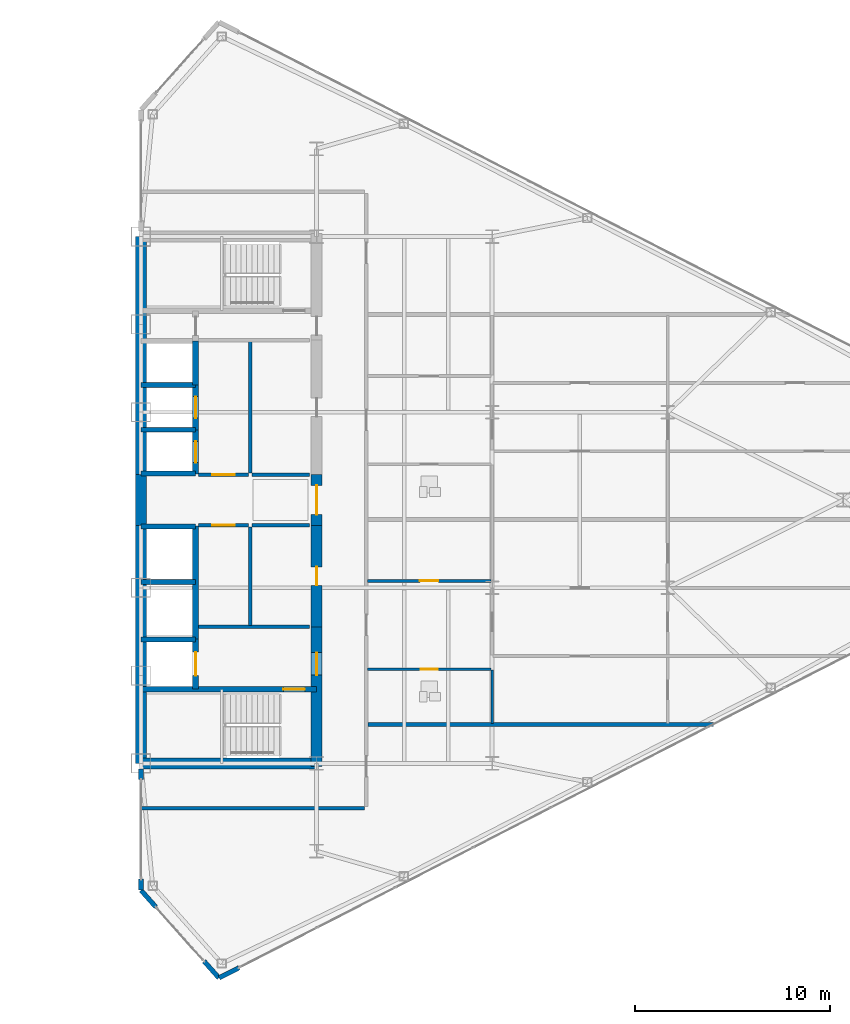
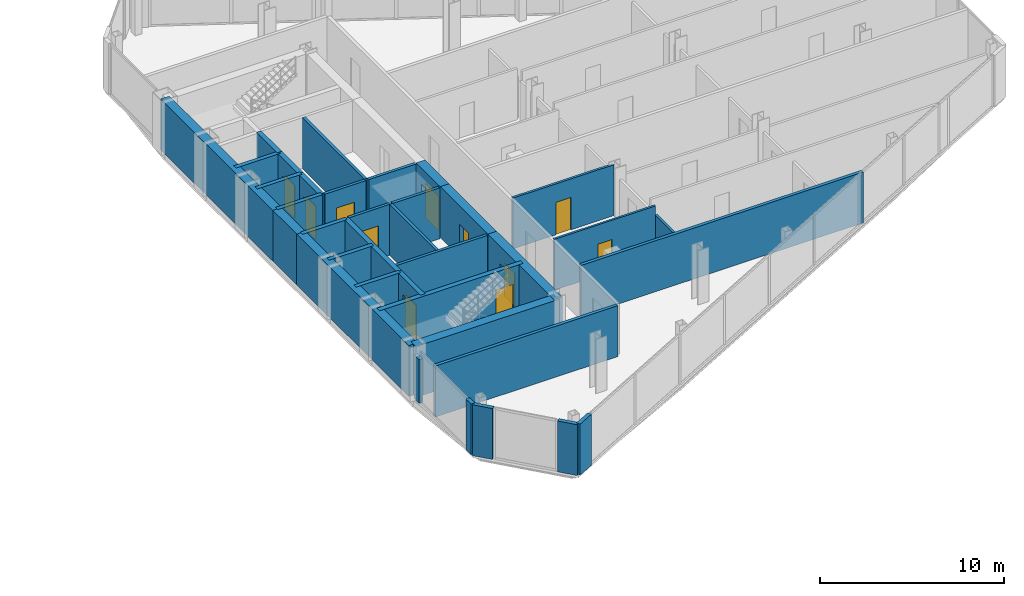
# One storey, part 19 of 24: 36 walls, 11 doors, 11 openings.
"""IFC4 building model written with IfcOpenShell, lengths in metres."""

from ifc_helpers import new_model, si_unit, direction, frame, frame_2d, origin, place, context, subcontext, project, spatial, rectangle, extrude, source, transform, mapped, material, layer, layer_set, type_object, type_shapes, element, fill, save


model = new_model("IFC4")

# Units and contexts
model_context = context("Model", 3, precision=1e-05, world=origin(), true_north=direction((0.0, 1.0)))
body_context = subcontext(model_context, "Body", "Model", "MODEL_VIEW")
ifc_project = project(units=[si_unit("LENGTHUNIT", "METRE"), si_unit("AREAUNIT", "SQUARE_METRE"), si_unit("VOLUMEUNIT", "CUBIC_METRE"), si_unit("PLANEANGLEUNIT", "RADIAN"), si_unit("MASSUNIT", "GRAM", prefix="KILO")], contexts=[model_context])

# Site, building, storey
site_placement = place(None, origin())
site = spatial("IfcSite", under=ifc_project, at=site_placement, CompositionType="ELEMENT")
building_placement = place(site_placement, origin())
building = spatial("IfcBuilding", under=site, at=building_placement, Name="Seokmaru Belvedere", CompositionType="ELEMENT")
storey_placement = place(building_placement, frame((0.0, 0.0, 140.39990234375)))
storey = spatial("IfcBuildingStorey", under=building, at=storey_placement, Name="L37", CompositionType="ELEMENT", Elevation=140.39990234375)

# Wall, opening, door
ifc_material_1 = material(Name="Fire-Rated Gypsum Shaftwall")
ifc_layer_1 = layer(ifc_material_1, 0.14990234375)
ifc_layer_set_1 = layer_set([ifc_layer_1], Name="Fire-Rated Gypsum Shaftwall")
wall_type_1 = type_object("IfcWallType", Name="Apartment Fire-Acoustic Room Partition 150", PredefinedType="PARTITIONING", material=ifc_layer_set_1)
wall_1_placement = place(storey_placement, frame((39.10009765625, -4.14990234375, 0.0), z_axis=(0.0, 0.0, 1.0), x_axis=(1.0, 0.0, 0.0)))
wall_1 = element("IfcWall", 1, at=wall_1_placement, inside=storey, type_object=wall_type_1, Name="L37 Interior Partition 014", PredefinedType="PARTITIONING", context=body_context, shape_type="SweptSolid", body=[
    extrude(rectangle(XDim=6.349853515625, YDim=0.14990234375, at=frame_2d((3.1748046875, 0.0))), origin(), (0.0, 0.0, 1.0), 3.380126953125),
])
opening_1_placement = place(wall_1_placement, frame((2.699951171875, 0.0, 0.0)))
opening_1 = element("IfcOpeningElement", 2, at=opening_1_placement, cuts=wall_1, Name="Opening D05", PredefinedType="OPENING", context=body_context, shape_type="SweptSolid", body=[
    extrude(rectangle(XDim=0.949951171875, YDim=2.14990234375, at=frame_2d((0.47509765625, 1.074951171875))), frame((0.0, 0.0849609375, 0.0), z_axis=(0.0, -1.0, 0.0), x_axis=(1.0, 0.0, 0.0)), (0.0, 0.0, 1.0), 0.169921875),
])
ifc_material_2 = material(Name="Engineered White Oak Timber", Category="wood")
door_type_1 = type_object("IfcDoorType", Name="Apartment Interior Fire-Rated Oak Door 950x2150", OperationType="NOTDEFINED", PredefinedType="DOOR", material=ifc_material_2)
shared_shape_1 = source(origin(), body_context, "Body", "SweptSolid", [
    extrude(rectangle(XDim=0.949951171875, YDim=2.14990234375, at=frame_2d((0.47509765625, 1.074951171875))), frame((0.0, 0.02490234375, 0.0), z_axis=(0.0, -1.0, 0.0), x_axis=(1.0, 0.0, 0.0)), (0.0, 0.0, 1.0), 0.050048828125),
])
type_shapes(door_type_1, [shared_shape_1])
door_1_placement = place(opening_1_placement, origin())
door_1 = element("IfcDoor", 3, at=door_1_placement, inside=storey, type_object=door_type_1, Name="L37 Interior Door 039", OperationType="SINGLE_SWING_RIGHT", OverallHeight=2.14990234375, OverallWidth=0.949951171875, PredefinedType="DOOR", context=body_context, shape_type="MappedRepresentation", body=[
    mapped(shared_shape_1, transform((0.0, 0.0, 0.0), scale=1.0)),
])
fill(opening_1, door_1)

# Walls
ifc_layer_2 = layer(ifc_material_1, 0.179931640625)
ifc_layer_set_2 = layer_set([ifc_layer_2], Name="Fire-Rated Gypsum Shaftwall")
wall_type_2 = type_object("IfcWallType", Name="Core Service Fire Partition 180", PredefinedType="PARTITIONING", material=ifc_layer_set_2)
wall_2_placement = place(storey_placement, frame((30.449951171875, -6.5, 0.0), z_axis=(0.0, 0.0, 1.0), x_axis=(1.0, 0.0, 0.0)))
element("IfcWall", 4, at=wall_2_placement, inside=storey, type_object=wall_type_2, Name="L37 East Firefighting Lobby Partition", PredefinedType="PARTITIONING", context=body_context, shape_type="SweptSolid", body=[
    extrude(rectangle(XDim=5.699951171875, YDim=0.179931640625, at=frame_2d((2.85009765625, 0.0))), origin(), (0.0, 0.0, 1.0), 3.380126953125),
])
wall_3_placement = place(storey_placement, frame((33.10009765625, -6.419921875, 0.0), z_axis=(0.0, 0.0, 1.0), x_axis=(0.0, 1.0, 0.0)))
element("IfcWall", 5, at=wall_3_placement, inside=storey, type_object=wall_type_2, Name="L37 East South Core Service Back Wall", PredefinedType="PARTITIONING", context=body_context, shape_type="SweptSolid", body=[
    extrude(rectangle(XDim=5.0400390625, YDim=0.179931640625, at=frame_2d((2.52001953125, 0.0))), origin(), (0.0, 0.0, 1.0), 3.380126953125),
])
wall_4_placement = place(storey_placement, frame((33.10009765625, 1.3798828125, 0.0), z_axis=(0.0, 0.0, 1.0), x_axis=(0.0, 1.0, 0.0)))
element("IfcWall", 6, at=wall_4_placement, inside=storey, type_object=wall_type_2, Name="L37 East North Core Service Back Wall", PredefinedType="PARTITIONING", context=body_context, shape_type="SweptSolid", body=[
    extrude(rectangle(XDim=6.740234375, YDim=0.179931640625, at=frame_2d((3.3701171875, 0.0))), origin(), (0.0, 0.0, 1.0), 3.380126953125),
])

# Wall, opening, door
wall_5_placement = place(storey_placement, frame((30.449951171875, -1.300048828125, 0.0), z_axis=(0.0, 0.0, 1.0), x_axis=(1.0, 0.0, 0.0)))
wall_5 = element("IfcWall", 7, at=wall_5_placement, inside=storey, type_object=wall_type_2, Name="L37 East South Lift Lobby Foyer Wall", PredefinedType="PARTITIONING", context=body_context, shape_type="SweptSolid", body=[
    extrude(rectangle(XDim=2.570068359375, YDim=0.179931640625, at=frame_2d((1.28515625, 0.0))), origin(), (0.0, 0.0, 1.0), 3.380126953125),
])
opening_2_placement = place(wall_5_placement, frame((0.7099609375, 0.0, 0.0)))
opening_2 = element("IfcOpeningElement", 8, at=opening_2_placement, cuts=wall_5, Name="Opening D02", PredefinedType="OPENING", context=body_context, shape_type="SweptSolid", body=[
    extrude(rectangle(XDim=1.14990234375, YDim=2.199951171875, at=frame_2d((0.574951171875, 1.10009765625))), frame((0.0, 0.10009765625, 0.0), z_axis=(0.0, -1.0, 0.0), x_axis=(1.0, 0.0, 0.0)), (0.0, 0.0, 1.0), 0.199951171875),
])
ifc_material_3 = material(Name="Fire-Rated Steel Leaf", Category="steel")
door_type_2 = type_object("IfcDoorType", Name="Lobby and Vestibule Fire Door 1150x2200", OperationType="NOTDEFINED", PredefinedType="DOOR", material=ifc_material_3)
shared_shape_2 = source(origin(), body_context, "Body", "SweptSolid", [
    extrude(rectangle(XDim=1.14990234375, YDim=2.199951171875, at=frame_2d((0.574951171875, 1.10009765625))), frame((0.0, 0.02490234375, 0.0), z_axis=(0.0, -1.0, 0.0), x_axis=(1.0, 0.0, 0.0)), (0.0, 0.0, 1.0), 0.050048828125),
])
type_shapes(door_type_2, [shared_shape_2])
door_2_placement = place(opening_2_placement, origin())
door_2 = element("IfcDoor", 9, at=door_2_placement, inside=storey, type_object=door_type_2, Name="L37 East South Core Foyer Door", OperationType="SINGLE_SWING_RIGHT", OverallHeight=2.199951171875, OverallWidth=1.14990234375, PredefinedType="DOOR", context=body_context, shape_type="MappedRepresentation", body=[
    mapped(shared_shape_2, transform((0.0, 0.0, 0.0), scale=1.0)),
])
fill(opening_2, door_2)

wall_6_placement = place(storey_placement, frame((30.449951171875, 1.300048828125, 0.0), z_axis=(0.0, 0.0, 1.0), x_axis=(1.0, 0.0, 0.0)))
wall_6 = element("IfcWall", 10, at=wall_6_placement, inside=storey, type_object=wall_type_2, Name="L37 East North Lift Lobby Foyer Wall", PredefinedType="PARTITIONING", context=body_context, shape_type="SweptSolid", body=[
    extrude(rectangle(XDim=2.570068359375, YDim=0.179931640625, at=frame_2d((1.28515625, 0.0))), origin(), (0.0, 0.0, 1.0), 3.380126953125),
])
opening_3_placement = place(wall_6_placement, frame((0.7099609375, 0.0, 0.0)))
opening_3 = element("IfcOpeningElement", 11, at=opening_3_placement, cuts=wall_6, Name="Opening D02", PredefinedType="OPENING", context=body_context, shape_type="SweptSolid", body=[
    extrude(rectangle(XDim=1.14990234375, YDim=2.199951171875, at=frame_2d((0.574951171875, 1.10009765625))), frame((0.0, 0.10009765625, 0.0), z_axis=(0.0, -1.0, 0.0), x_axis=(1.0, 0.0, 0.0)), (0.0, 0.0, 1.0), 0.199951171875),
])
door_3_placement = place(opening_3_placement, origin())
door_3 = element("IfcDoor", 12, at=door_3_placement, inside=storey, type_object=door_type_2, Name="L37 East North Lift Lobby Door", OperationType="SINGLE_SWING_LEFT", OverallHeight=2.199951171875, OverallWidth=1.14990234375, PredefinedType="DOOR", context=body_context, shape_type="MappedRepresentation", body=[
    mapped(shared_shape_2, transform((0.0, 0.0, 0.0), scale=1.0)),
])
fill(opening_3, door_3)

# Walls
for number, where, z_axis, x_axis, name in (
    (13, (33.199951171875, -1.300048828125, 0.0), (0.0, 0.0, 1.0), (1.0, 0.0, 0.0), "L37 East Foyer Side Wall S"),
    (14, (33.199951171875, 1.300048828125, 0.0), (0.0, 0.0, 1.0), (1.0, 0.0, 0.0), "L37 East Foyer Side Wall N"),
):
    element("IfcWall", number, at=place(storey_placement, frame(where, z_axis=z_axis, x_axis=x_axis)), inside=storey, type_object=wall_type_2, Name=name, PredefinedType="PARTITIONING", context=body_context, shape_type="SweptSolid", body=[
        extrude(rectangle(XDim=2.949951171875, YDim=0.179931640625, at=frame_2d((1.47509765625, 0.0))), origin(), (0.0, 0.0, 1.0), 3.380126953125),
    ])
ifc_material_4 = material(Name="Concrete C50 (50 MPa)", Category="concrete")
ifc_layer_3 = layer(ifc_material_4, 0.25)
ifc_layer_set_3 = layer_set([ifc_layer_3], Name="Concrete C50 (50 MPa)")
wall_type_3 = type_object("IfcWallType", Name="Hoistway Transverse Concrete Divider Wall 250", PredefinedType="SHEAR", material=ifc_layer_set_3)
for number, where, z_axis, x_axis, name in (
    (15, (27.5, -7.14990234375, 0.0), (0.0, 0.0, 1.0), (1.0, 0.0, 0.0), "L37 East Hoistway Divider Core Wall 1"),
    (16, (27.5, -4.199951171875, 0.0), (0.0, 0.0, 1.0), (1.0, 0.0, 0.0), "L37 East Hoistway Divider Core Wall 2"),
    (17, (27.5, -1.35009765625, 0.0), (0.0, 0.0, 1.0), (1.0, 0.0, 0.0), "L37 East Hoistway Divider Core Wall 3"),
    (18, (27.5, 1.35009765625, 0.0), (0.0, 0.0, 1.0), (1.0, 0.0, 0.0), "L37 East Hoistway Divider Core Wall 4"),
    (19, (27.5, 3.60009765625, 0.0), (0.0, 0.0, 1.0), (1.0, 0.0, 0.0), "L37 East Hoistway Divider Core Wall 5"),
    (20, (27.5, 5.89990234375, 0.0), (0.0, 0.0, 1.0), (1.0, 0.0, 0.0), "L37 East Hoistway Divider Core Wall 6"),
):
    element("IfcWall", number, at=place(storey_placement, frame(where, z_axis=z_axis, x_axis=x_axis)), inside=storey, type_object=wall_type_3, Name=name, PredefinedType="SHEAR", context=body_context, shape_type="SweptSolid", body=[
        extrude(rectangle(XDim=2.800048828125, YDim=0.25, at=frame_2d((1.39990234375, 0.0))), origin(), (0.0, 0.0, 1.0), 3.380126953125),
    ])
ifc_layer_4 = layer(ifc_material_1, 0.199951171875)
ifc_layer_set_4 = layer_set([ifc_layer_4], Name="Fire-Rated Gypsum Shaftwall")
wall_type_4 = type_object("IfcWallType", Name="Inter-Tenancy Fire Compartment Partition 200", PredefinedType="PARTITIONING", material=ifc_layer_set_4)
wall_7_placement = place(storey_placement, frame((27.5, -15.800048828125, 0.0), z_axis=(0.0, 0.0, 1.0), x_axis=(1.0, 0.0, 0.0)))
element("IfcWall", 21, at=wall_7_placement, inside=storey, type_object=wall_type_4, Name="L37 Interior Partition 004", PredefinedType="PARTITIONING", context=body_context, shape_type="SweptSolid", body=[
    extrude(rectangle(XDim=11.465087890625, YDim=0.199951171875, at=frame_2d((5.732421875, 0.0))), origin(), (0.0, 0.0, 1.0), 3.380126953125),
])
wall_8_placement = place(storey_placement, frame((39.1298828125, -11.5, 0.0), z_axis=(0.0, 0.0, 1.0), x_axis=(1.0, 0.0, 0.0)))
element("IfcWall", 22, at=wall_8_placement, inside=storey, type_object=wall_type_4, Name="L37 Interior Partition 008", PredefinedType="PARTITIONING", context=body_context, shape_type="SweptSolid", body=[
    extrude(rectangle(XDim=17.714111328125, YDim=0.199951171875, at=frame_2d((8.85693359375, 0.0))), origin(), (0.0, 0.0, 1.0), 3.380126953125),
])

# Wall, opening, door
ifc_layer_5 = layer(ifc_material_4, 0.300048828125)
ifc_layer_set_5 = layer_set([ifc_layer_5], Name="Concrete C50 (50 MPa)")
wall_type_5 = type_object("IfcWallType", Name="Internal Core Stair and Hoistway Wall 300", PredefinedType="SHEAR", material=ifc_layer_set_5)
wall_9_placement = place(storey_placement, frame((27.5, -9.699951171875, 0.0), z_axis=(0.0, 0.0, 1.0), x_axis=(1.0, 0.0, 0.0)))
wall_9 = element("IfcWall", 23, at=wall_9_placement, inside=storey, type_object=wall_type_5, Name="L37 East Stair ST-1 Enclosure Wall", PredefinedType="SHEAR", context=body_context, shape_type="SweptSolid", body=[
    extrude(rectangle(XDim=9.0, YDim=0.300048828125, at=frame_2d((4.5, 0.0))), origin(), (0.0, 0.0, 1.0), 3.380126953125),
])
opening_4_placement = place(wall_9_placement, frame((7.300048828125, 0.0, 0.0)))
opening_4 = element("IfcOpeningElement", 24, at=opening_4_placement, cuts=wall_9, Name="Opening D01", PredefinedType="OPENING", context=body_context, shape_type="SweptSolid", body=[
    extrude(rectangle(XDim=1.10009765625, YDim=2.199951171875, at=frame_2d((0.550048828125, 1.10009765625))), frame((0.0, 0.16015625, 0.0), z_axis=(0.0, -1.0, 0.0), x_axis=(1.0, 0.0, 0.0)), (0.0, 0.0, 1.0), 0.320068359375),
])
door_type_3 = type_object("IfcDoorType", Name="Special Escape Stair Smokeproof Fire Door 1100x2200", OperationType="NOTDEFINED", PredefinedType="DOOR", material=ifc_material_3)
shared_shape_3 = source(origin(), body_context, "Body", "SweptSolid", [
    extrude(rectangle(XDim=1.10009765625, YDim=2.199951171875, at=frame_2d((0.550048828125, 1.10009765625))), frame((0.0, 0.02490234375, 0.0), z_axis=(0.0, -1.0, 0.0), x_axis=(1.0, 0.0, 0.0)), (0.0, 0.0, 1.0), 0.050048828125),
])
type_shapes(door_type_3, [shared_shape_3])
door_4_placement = place(opening_4_placement, frame((1.10009765625, 0.0, 0.0), z_axis=(0.0, 0.0, 1.0), x_axis=(-1.0, 0.0, 0.0)))
door_4 = element("IfcDoor", 25, at=door_4_placement, inside=storey, type_object=door_type_3, Name="L37 East Special Escape Stair ST-1 Door", OperationType="SINGLE_SWING_RIGHT", OverallHeight=2.199951171875, OverallWidth=1.10009765625, PredefinedType="DOOR", context=body_context, shape_type="MappedRepresentation", body=[
    mapped(shared_shape_3, transform((0.0, 0.0, 0.0), scale=1.0)),
])
fill(opening_4, door_4)

wall_10_placement = place(storey_placement, frame((30.300048828125, -9.679931640625, 0.0), z_axis=(0.0, 0.0, 1.0), x_axis=(0.0, 1.0, 0.0)))
wall_10 = element("IfcWall", 26, at=wall_10_placement, inside=storey, type_object=wall_type_5, Name="L37 East Firefighting Lift Shaft Front Wall", PredefinedType="SHEAR", context=body_context, shape_type="SweptSolid", body=[
    extrude(rectangle(XDim=2.559814453125, YDim=0.300048828125, at=frame_2d((1.27978515625, 0.0))), origin(), (0.0, 0.0, 1.0), 3.380126953125),
])
opening_5_placement = place(wall_10_placement, frame((0.679931640625, 0.0, 0.0)))
opening_5 = element("IfcOpeningElement", 27, at=opening_5_placement, cuts=wall_10, Name="Opening LD2", PredefinedType="OPENING", context=body_context, shape_type="SweptSolid", body=[
    extrude(rectangle(XDim=1.199951171875, YDim=2.25, at=frame_2d((0.60009765625, 1.125))), frame((0.0, 0.16015625, 0.0), z_axis=(0.0, -1.0, 0.0), x_axis=(1.0, 0.0, 0.0)), (0.0, 0.0, 1.0), 0.320068359375),
])
ifc_material_5 = material(Name="Stainless Steel 316", Category="steel")
door_type_4 = type_object("IfcDoorType", Name="Firefighting Lift Sliding Landing Door 1200x2250", OperationType="DOUBLE_DOOR_SLIDING", PredefinedType="DOOR", material=ifc_material_5)
shared_shape_4 = source(origin(), body_context, "Body", "SweptSolid", [
    extrude(rectangle(XDim=1.199951171875, YDim=2.25, at=frame_2d((0.60009765625, 1.125))), frame((0.0, 0.02490234375, 0.0), z_axis=(0.0, -1.0, 0.0), x_axis=(1.0, 0.0, 0.0)), (0.0, 0.0, 1.0), 0.050048828125),
])
type_shapes(door_type_4, [shared_shape_4])
door_5_placement = place(opening_5_placement, origin())
door_5 = element("IfcDoor", 28, at=door_5_placement, inside=storey, type_object=door_type_4, Name="L37 East Firefighting Lift Landing Door", OperationType="DOUBLE_DOOR_SLIDING", OverallHeight=2.25, OverallWidth=1.199951171875, PredefinedType="DOOR", context=body_context, shape_type="MappedRepresentation", body=[
    mapped(shared_shape_4, transform((0.0, 0.0, 0.0), scale=1.0)),
])
fill(opening_5, door_5)

# Wall
wall_11_placement = place(storey_placement, frame((30.300048828125, -7.1201171875, 0.0), z_axis=(0.0, 0.0, 1.0), x_axis=(0.0, 1.0, 0.0)))
element("IfcWall", 29, at=wall_11_placement, inside=storey, type_object=wall_type_5, Name="L37 East Low-Rise Lift Overrun Shaft Wall", PredefinedType="SHEAR", context=body_context, shape_type="SweptSolid", body=[
    extrude(rectangle(XDim=5.800048828125, YDim=0.300048828125, at=frame_2d((2.89990234375, 0.0))), origin(), (0.0, 0.0, 1.0), 3.380126953125),
])

# Wall, opening, door
wall_12_placement = place(storey_placement, frame((30.300048828125, 1.320068359375, 0.0), z_axis=(0.0, 0.0, 1.0), x_axis=(0.0, 1.0, 0.0)))
wall_12 = element("IfcWall", 30, at=wall_12_placement, inside=storey, type_object=wall_type_5, Name="L37 East North Hoistway Wall PH1", PredefinedType="SHEAR", context=body_context, shape_type="SweptSolid", body=[
    extrude(rectangle(XDim=2.280029296875, YDim=0.300048828125, at=frame_2d((1.14013671875, 0.0))), origin(), (0.0, 0.0, 1.0), 3.380126953125),
])
opening_6_placement = place(wall_12_placement, frame((0.590087890625, 0.0, 0.0)))
opening_6 = element("IfcOpeningElement", 31, at=opening_6_placement, cuts=wall_12, Name="Opening LD1", PredefinedType="OPENING", context=body_context, shape_type="SweptSolid", body=[
    extrude(rectangle(XDim=1.10009765625, YDim=2.199951171875, at=frame_2d((0.550048828125, 1.10009765625))), frame((0.0, 0.16015625, 0.0), z_axis=(0.0, -1.0, 0.0), x_axis=(1.0, 0.0, 0.0)), (0.0, 0.0, 1.0), 0.320068359375),
])
door_type_5 = type_object("IfcDoorType", Name="Passenger Lift Sliding Landing Door 1100x2200", OperationType="DOUBLE_DOOR_SLIDING", PredefinedType="DOOR", material=ifc_material_5)
shared_shape_5 = source(origin(), body_context, "Body", "SweptSolid", [
    extrude(rectangle(XDim=1.10009765625, YDim=2.199951171875, at=frame_2d((0.550048828125, 1.10009765625))), frame((0.0, 0.02490234375, 0.0), z_axis=(0.0, -1.0, 0.0), x_axis=(1.0, 0.0, 0.0)), (0.0, 0.0, 1.0), 0.050048828125),
])
type_shapes(door_type_5, [shared_shape_5])
door_6_placement = place(opening_6_placement, origin())
door_6 = element("IfcDoor", 32, at=door_6_placement, inside=storey, type_object=door_type_5, Name="L37 East High-Rise Lift PH-1 Landing Door", OperationType="DOUBLE_DOOR_SLIDING", OverallHeight=2.199951171875, OverallWidth=1.10009765625, PredefinedType="DOOR", context=body_context, shape_type="MappedRepresentation", body=[
    mapped(shared_shape_5, transform((0.0, 0.0, 0.0), scale=1.0)),
])
fill(opening_6, door_6)

wall_13_placement = place(storey_placement, frame((30.300048828125, 3.60009765625, 0.0), z_axis=(0.0, 0.0, 1.0), x_axis=(0.0, 1.0, 0.0)))
wall_13 = element("IfcWall", 33, at=wall_13_placement, inside=storey, type_object=wall_type_5, Name="L37 East North Hoistway Wall PH2", PredefinedType="SHEAR", context=body_context, shape_type="SweptSolid", body=[
    extrude(rectangle(XDim=2.2998046875, YDim=0.300048828125, at=frame_2d((1.14990234375, 0.0))), origin(), (0.0, 0.0, 1.0), 3.380126953125),
])
opening_7_placement = place(wall_13_placement, frame((0.60009765625, 0.0, 0.0)))
opening_7 = element("IfcOpeningElement", 34, at=opening_7_placement, cuts=wall_13, Name="Opening LD1", PredefinedType="OPENING", context=body_context, shape_type="SweptSolid", body=[
    extrude(rectangle(XDim=1.10009765625, YDim=2.199951171875, at=frame_2d((0.550048828125, 1.10009765625))), frame((0.0, 0.16015625, 0.0), z_axis=(0.0, -1.0, 0.0), x_axis=(1.0, 0.0, 0.0)), (0.0, 0.0, 1.0), 0.320068359375),
])
door_7_placement = place(opening_7_placement, origin())
door_7 = element("IfcDoor", 35, at=door_7_placement, inside=storey, type_object=door_type_5, Name="L37 East High-Rise Lift PH-2 Landing Door", OperationType="DOUBLE_DOOR_SLIDING", OverallHeight=2.199951171875, OverallWidth=1.10009765625, PredefinedType="DOOR", context=body_context, shape_type="MappedRepresentation", body=[
    mapped(shared_shape_5, transform((0.0, 0.0, 0.0), scale=1.0)),
])
fill(opening_7, door_7)

# Walls
wall_14_placement = place(storey_placement, frame((30.300048828125, 5.89990234375, 0.0), z_axis=(0.0, 0.0, 1.0), x_axis=(0.0, 1.0, 0.0)))
element("IfcWall", 36, at=wall_14_placement, inside=storey, type_object=wall_type_5, Name="L37 East North Hoistway Wall OBS", PredefinedType="SHEAR", context=body_context, shape_type="SweptSolid", body=[
    extrude(rectangle(XDim=2.25, YDim=0.300048828125, at=frame_2d((1.125, 0.0))), origin(), (0.0, 0.0, 1.0), 3.380126953125),
])
ifc_layer_6 = layer(ifc_material_4, 0.550048828125)
ifc_layer_set_6 = layer_set([ifc_layer_6], Name="Concrete C50 (50 MPa)")
wall_type_6 = type_object("IfcWallType", Name="Mid-High Reinforced Concrete Core Wall 550", PredefinedType="SHEAR", material=ifc_layer_set_6)
for number, where, z_axis, x_axis, name in (
    (37, (27.5, -13.5, 0.0), (0.0, 0.0, 1.0), (0.0, 1.0, 0.0), "L37 East Portal Spine Core Wall South"),
    (38, (27.5, 1.300048828125, 0.0), (0.0, 0.0, 1.0), (0.0, 1.0, 0.0), "L37 East Portal Spine Core Wall North"),
):
    element("IfcWall", number, at=place(storey_placement, frame(where, z_axis=z_axis, x_axis=x_axis)), inside=storey, type_object=wall_type_6, Name=name, PredefinedType="SHEAR", context=body_context, shape_type="SweptSolid", body=[
        extrude(rectangle(XDim=12.199951171875, YDim=0.550048828125, at=frame_2d((6.10009765625, 0.0))), origin(), (0.0, 0.0, 1.0), 3.380126953125),
    ])
wall_15_placement = place(storey_placement, frame((27.5, -1.300048828125, 0.0), z_axis=(0.0, 0.0, 1.0), x_axis=(0.0, 1.0, 0.0)))
element("IfcWall", 39, at=wall_15_placement, inside=storey, type_object=wall_type_6, Name="L37 East Portal Spine Core Wall Center", PredefinedType="SHEAR", context=body_context, shape_type="SweptSolid", body=[
    extrude(rectangle(XDim=2.60009765625, YDim=0.550048828125, at=frame_2d((1.300048828125, 0.0))), origin(), (0.0, 0.0, 1.0), 3.380126953125),
])
wall_16_placement = place(storey_placement, frame((27.5, -13.5, 0.0), z_axis=(0.0, 0.0, 1.0), x_axis=(1.0, 0.0, 0.0)))
element("IfcWall", 40, at=wall_16_placement, inside=storey, type_object=wall_type_6, Name="L37 East South Core Wall", PredefinedType="SHEAR", context=body_context, shape_type="SweptSolid", body=[
    extrude(rectangle(XDim=9.0, YDim=0.550048828125, at=frame_2d((4.5, 0.0))), origin(), (0.0, 0.0, 1.0), 3.380126953125),
])

# Wall, opening, door
wall_17_placement = place(storey_placement, frame((36.5, -13.64990234375, 0.0), z_axis=(0.0, 0.0, 1.0), x_axis=(0.0, 1.0, 0.0)))
wall_17 = element("IfcWall", 41, at=wall_17_placement, inside=storey, type_object=wall_type_6, Name="L37 East West Core Wall FF", PredefinedType="SHEAR", context=body_context, shape_type="SweptSolid", body=[
    extrude(rectangle(XDim=7.14990234375, YDim=0.550048828125, at=frame_2d((3.574951171875, 0.0))), origin(), (0.0, 0.0, 1.0), 3.380126953125),
])
opening_8_placement = place(wall_17_placement, frame((4.675048828125, 0.0, 0.0)))
opening_8 = element("IfcOpeningElement", 42, at=opening_8_placement, cuts=wall_17, Name="Opening D02", PredefinedType="OPENING", context=body_context, shape_type="SweptSolid", body=[
    extrude(rectangle(XDim=1.14990234375, YDim=2.199951171875, at=frame_2d((0.574951171875, 1.10009765625))), frame((0.0, 0.28515625, 0.0), z_axis=(0.0, -1.0, 0.0), x_axis=(1.0, 0.0, 0.0)), (0.0, 0.0, 1.0), 0.570068359375),
])
door_8_placement = place(opening_8_placement, origin())
door_8 = element("IfcDoor", 43, at=door_8_placement, inside=storey, type_object=door_type_2, Name="L37 East Firefighting Lobby Door", OperationType="SINGLE_SWING_RIGHT", OverallHeight=2.199951171875, OverallWidth=1.14990234375, PredefinedType="DOOR", context=body_context, shape_type="MappedRepresentation", body=[
    mapped(shared_shape_2, transform((0.0, 0.0, 0.0), scale=1.0)),
])
fill(opening_8, door_8)

wall_18_placement = place(storey_placement, frame((36.5, -1.300048828125, 0.0), z_axis=(0.0, 0.0, 1.0), x_axis=(0.0, 1.0, 0.0)))
wall_18 = element("IfcWall", 44, at=wall_18_placement, inside=storey, type_object=wall_type_6, Name="L37 East West Core Wall FOY", PredefinedType="SHEAR", context=body_context, shape_type="SweptSolid", body=[
    extrude(rectangle(XDim=2.60009765625, YDim=0.550048828125, at=frame_2d((1.300048828125, 0.0))), origin(), (0.0, 0.0, 1.0), 3.380126953125),
])
opening_9_placement = place(wall_18_placement, frame((0.550048828125, 0.0, 0.0)))
opening_9 = element("IfcOpeningElement", 45, at=opening_9_placement, cuts=wall_18, Name="Opening D08", PredefinedType="OPENING", context=body_context, shape_type="SweptSolid", body=[
    extrude(rectangle(XDim=1.5, YDim=2.300048828125, at=frame_2d((0.75, 1.14990234375))), frame((0.0, 0.28515625, 0.0), z_axis=(0.0, -1.0, 0.0), x_axis=(1.0, 0.0, 0.0)), (0.0, 0.0, 1.0), 0.570068359375),
])
door_type_6 = type_object("IfcDoorType", Name="Cross-Corridor Compartment Double Fire Door 1500x2300", OperationType="DOUBLE_SWING_LEFT", PredefinedType="DOOR", material=ifc_material_3)
shared_shape_6 = source(origin(), body_context, "Body", "SweptSolid", [
    extrude(rectangle(XDim=1.5, YDim=2.300048828125, at=frame_2d((0.75, 1.14990234375))), frame((0.0, 0.02490234375, 0.0), z_axis=(0.0, -1.0, 0.0), x_axis=(1.0, 0.0, 0.0)), (0.0, 0.0, 1.0), 0.050048828125),
])
type_shapes(door_type_6, [shared_shape_6])
door_9_placement = place(opening_9_placement, origin())
door_9 = element("IfcDoor", 46, at=door_9_placement, inside=storey, type_object=door_type_6, Name="L37 East Core Foyer Compartment Door", OperationType="DOUBLE_SWING_LEFT", OverallHeight=2.300048828125, OverallWidth=1.5, PredefinedType="DOOR", context=body_context, shape_type="MappedRepresentation", body=[
    mapped(shared_shape_6, transform((0.0, 0.0, 0.0), scale=1.0)),
])
fill(opening_9, door_9)

wall_19_placement = place(storey_placement, frame((36.5, -6.5, 0.0), z_axis=(0.0, 0.0, 1.0), x_axis=(0.0, 1.0, 0.0)))
wall_19 = element("IfcWall", 47, at=wall_19_placement, inside=storey, type_object=wall_type_6, Name="L37 East West Core Wall CS1", PredefinedType="SHEAR", context=body_context, shape_type="SweptSolid", body=[
    extrude(rectangle(XDim=5.199951171875, YDim=0.550048828125, at=frame_2d((2.60009765625, 0.0))), origin(), (0.0, 0.0, 1.0), 3.380126953125),
])
opening_10_placement = place(wall_19_placement, frame((2.125, 0.0, 0.0)))
opening_10 = element("IfcOpeningElement", 48, at=opening_10_placement, cuts=wall_19, Name="Opening D04", PredefinedType="OPENING", context=body_context, shape_type="SweptSolid", body=[
    extrude(rectangle(XDim=0.949951171875, YDim=2.14990234375, at=frame_2d((0.47509765625, 1.074951171875))), frame((0.0, 0.28515625, 0.0), z_axis=(0.0, -1.0, 0.0), x_axis=(1.0, 0.0, 0.0)), (0.0, 0.0, 1.0), 0.570068359375),
])
door_type_7 = type_object("IfcDoorType", Name="Core Service Room Fire Door 950x2150", OperationType="NOTDEFINED", PredefinedType="DOOR", material=ifc_material_3)
shared_shape_7 = source(origin(), body_context, "Body", "SweptSolid", [
    extrude(rectangle(XDim=0.949951171875, YDim=2.14990234375, at=frame_2d((0.47509765625, 1.074951171875))), frame((0.0, 0.02490234375, 0.0), z_axis=(0.0, -1.0, 0.0), x_axis=(1.0, 0.0, 0.0)), (0.0, 0.0, 1.0), 0.050048828125),
])
type_shapes(door_type_7, [shared_shape_7])
door_10_placement = place(opening_10_placement, origin())
door_10 = element("IfcDoor", 49, at=door_10_placement, inside=storey, type_object=door_type_7, Name="L37 East Core Service Room Door 1", OperationType="SINGLE_SWING_RIGHT", OverallHeight=2.14990234375, OverallWidth=0.949951171875, PredefinedType="DOOR", context=body_context, shape_type="MappedRepresentation", body=[
    mapped(shared_shape_7, transform((0.0, 0.0, 0.0), scale=1.0)),
])
fill(opening_10, door_10)

ifc_layer_7 = layer(ifc_material_1, 0.1298828125)
ifc_layer_set_7 = layer_set([ifc_layer_7], Name="Fire-Rated Gypsum Shaftwall")
wall_type_7 = type_object("IfcWallType", Name="Moisture-Resistant Fire-Rated Bathroom Partition 130", PredefinedType="PARTITIONING", material=ifc_layer_set_7)
wall_20_placement = place(storey_placement, frame((39.10009765625, -8.669921875, 0.0), z_axis=(0.0, 0.0, 1.0), x_axis=(1.0, 0.0, 0.0)))
wall_20 = element("IfcWall", 50, at=wall_20_placement, inside=storey, type_object=wall_type_7, Name="L37 Interior Partition 009", PredefinedType="PARTITIONING", context=body_context, shape_type="SweptSolid", body=[
    extrude(rectangle(XDim=6.349853515625, YDim=0.1298828125, at=frame_2d((3.1748046875, 0.0))), origin(), (0.0, 0.0, 1.0), 3.380126953125),
])
opening_11_placement = place(wall_20_placement, frame((2.735107421875, 0.0, 0.0)))
opening_11 = element("IfcOpeningElement", 51, at=opening_11_placement, cuts=wall_20, Name="Opening D06", PredefinedType="OPENING", context=body_context, shape_type="SweptSolid", body=[
    extrude(rectangle(XDim=0.8798828125, YDim=2.10009765625, at=frame_2d((0.43994140625, 1.050048828125))), frame((0.0, 0.074951171875, 0.0), z_axis=(0.0, -1.0, 0.0), x_axis=(1.0, 0.0, 0.0)), (0.0, 0.0, 1.0), 0.14990234375),
])
door_type_8 = type_object("IfcDoorType", Name="Bathroom and Restroom Fire-Rated Door 880x2100", OperationType="NOTDEFINED", PredefinedType="DOOR", material=ifc_material_2)
shared_shape_8 = source(origin(), body_context, "Body", "SweptSolid", [
    extrude(rectangle(XDim=0.8798828125, YDim=2.10009765625, at=frame_2d((0.43994140625, 1.050048828125))), frame((0.0, 0.02490234375, 0.0), z_axis=(0.0, -1.0, 0.0), x_axis=(1.0, 0.0, 0.0)), (0.0, 0.0, 1.0), 0.050048828125),
])
type_shapes(door_type_8, [shared_shape_8])
door_11_placement = place(opening_11_placement, origin())
door_11 = element("IfcDoor", 52, at=door_11_placement, inside=storey, type_object=door_type_8, Name="L37 Interior Door 038", OperationType="SINGLE_SWING_RIGHT", OverallHeight=2.10009765625, OverallWidth=0.8798828125, PredefinedType="DOOR", context=body_context, shape_type="MappedRepresentation", body=[
    mapped(shared_shape_8, transform((0.0, 0.0, 0.0), scale=1.0)),
])
fill(opening_11, door_11)

# Walls
wall_21_placement = place(storey_placement, frame((45.5, -11.449951171875, 0.0), z_axis=(0.0, 0.0, 1.0), x_axis=(0.0, 1.0, 0.0)))
element("IfcWall", 53, at=wall_21_placement, inside=storey, type_object=wall_type_7, Name="L37 Interior Partition 044", PredefinedType="PARTITIONING", context=body_context, shape_type="SweptSolid", body=[
    extrude(rectangle(XDim=2.73291015625, YDim=0.1298828125, at=frame_2d((1.366455078125, 0.0))), origin(), (0.0, 0.0, 1.0), 2.780029296875),
])
ifc_material_6 = material(Name="Anodised Bronze Aluminium", Category="aluminium")
ifc_layer_8 = layer(ifc_material_6, 0.239990234375)
ifc_layer_set_8 = layer_set([ifc_layer_8], Name="Anodised Bronze Aluminium")
wall_type_8 = type_object("IfcWallType", Name="Tower Corner Spandrel Closure Wall 240", PredefinedType="SOLIDWALL", material=ifc_layer_set_8)
wall_22_placement = place(storey_placement, frame((31.5087890625, -24.495361328125, 0.0), z_axis=(0.0, 0.0, 1.0), x_axis=(0.889797395748, 0.456355776255, 0.0)))
element("IfcWall", 54, at=wall_22_placement, inside=storey, type_object=wall_type_8, Name="L37 E Corner Closure Pier 1A", PredefinedType="SOLIDWALL", context=body_context, shape_type="SweptSolid", body=[
    extrude(rectangle(XDim=1.14013671875, YDim=0.239990234375, at=frame_2d((0.570068359375, 0.0))), origin(), (0.0, 0.0, 1.0), 3.380126953125),
])
wall_23_placement = place(storey_placement, frame((27.5, -19.97998046875, 0.0), z_axis=(0.0, 0.0, 1.0), x_axis=(0.0, 1.0, 0.0)))
element("IfcWall", 55, at=wall_23_placement, inside=storey, type_object=wall_type_8, Name="L37 E Spine Closure Pier 1A", PredefinedType="SOLIDWALL", context=body_context, shape_type="SweptSolid", body=[
    extrude(rectangle(XDim=0.550048828125, YDim=0.239990234375, at=frame_2d((0.27490234375, 0.0))), origin(), (0.0, 0.0, 1.0), 3.380126953125),
])
wall_24_placement = place(storey_placement, frame((27.5, -14.330078125, 0.0), z_axis=(0.0, 0.0, 1.0), x_axis=(0.0, 1.0, 0.0)))
element("IfcWall", 56, at=wall_24_placement, inside=storey, type_object=wall_type_8, Name="L37 E Spine Closure Pier 1B", PredefinedType="SOLIDWALL", context=body_context, shape_type="SweptSolid", body=[
    extrude(rectangle(XDim=0.550048828125, YDim=0.239990234375, at=frame_2d((0.27490234375, 0.0))), origin(), (0.0, 0.0, 1.0), 2.880126953125),
])
for number, where, z_axis, x_axis, name in (
    (57, (27.506591796875, -20.007568359375, 0.0), (0.0, 0.0, 1.0), (0.664337252513, -0.747432950119, 0.0), "L37 E Corner Closure Pier 6A"),
    (58, (30.736083984375, -23.640380859375, 0.0), (0.0, 0.0, 1.0), (0.664337252513, -0.747432950119, 0.0), "L37 E Corner Closure Pier 6B"),
):
    element("IfcWall", number, at=place(storey_placement, frame(where, z_axis=z_axis, x_axis=x_axis)), inside=storey, type_object=wall_type_8, Name=name, PredefinedType="SOLIDWALL", context=body_context, shape_type="SweptSolid", body=[
        extrude(rectangle(XDim=1.139892578125, YDim=0.239990234375, at=frame_2d((0.56982421875, 0.0))), origin(), (0.0, 0.0, 1.0), 3.380126953125),
    ])

save(model, "model.ifc")
